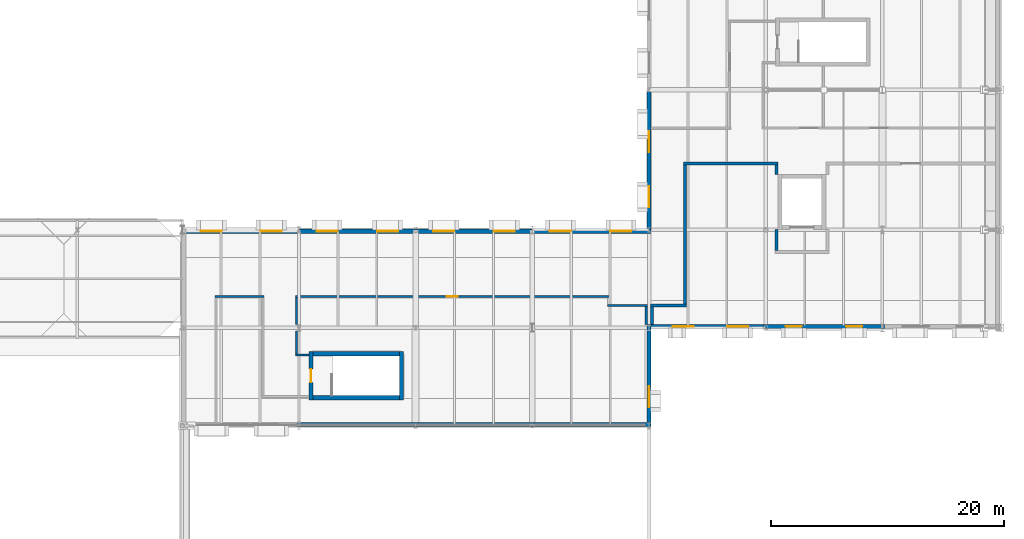
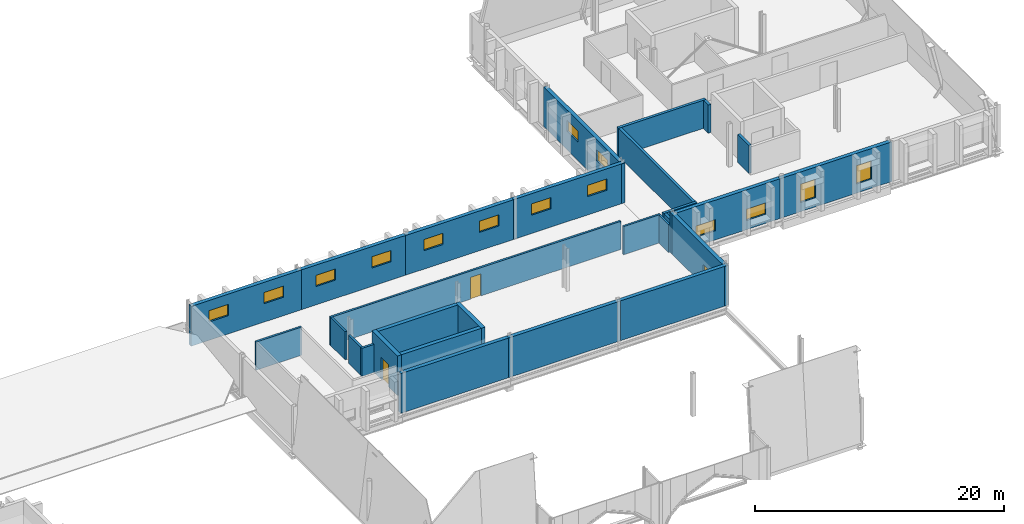
# One storey, part 68 of 90: 28 walls, 15 windows, 2 doors, 17 openings.
"""IFC4 building model written with IfcOpenShell, lengths in metres."""

from ifc_helpers import new_model, si_unit, direction, frame, frame_2d, origin, place, context, subcontext, project, spatial, rectangle, extrude, material, layer, layer_set, type_object, element, fill, save


model = new_model("IFC4")

# Units and contexts
model_context = context("Model", 3, precision=1e-05, world=origin(), true_north=direction((0.0, 1.0)))
body_context = subcontext(model_context, "Body", "Model", "MODEL_VIEW")
ifc_project = project(units=[si_unit("LENGTHUNIT", "METRE"), si_unit("AREAUNIT", "SQUARE_METRE"), si_unit("VOLUMEUNIT", "CUBIC_METRE"), si_unit("PLANEANGLEUNIT", "RADIAN"), si_unit("MASSUNIT", "GRAM", prefix="KILO")], contexts=[model_context])

# Site, building, storey
site_placement = place(None, origin())
site = spatial("IfcSite", under=ifc_project, at=site_placement, CompositionType="ELEMENT")
building_placement = place(site_placement, origin())
building = spatial("IfcBuilding", under=site, at=building_placement, Name="Zereglee Splitstone Museum", CompositionType="ELEMENT")
storey_placement = place(building_placement, frame((0.0, 0.0, 4.800048828125)))
storey = spatial("IfcBuildingStorey", under=building, at=storey_placement, Name="L01", CompositionType="ELEMENT", Elevation=4.800048828125)

# Wall, opening, door
ifc_material_1 = material(Name="Concrete C45/55", Category="concrete")
ifc_layer_1 = layer(ifc_material_1, 0.360107421875)
ifc_layer_set_1 = layer_set([ifc_layer_1], Name="Concrete C45/55")
wall_type_1 = type_object("IfcWallType", Name="CSW-02", PredefinedType="SHEAR", material=ifc_layer_set_1)
wall_1_placement = place(storey_placement, frame((267.02001953125, 23.840087890625, 0.0), z_axis=(0.0, 0.0, 1.0), x_axis=(0.0, 1.0, 0.0)))
wall_1 = element("IfcWall", 1, at=wall_1_placement, inside=storey, type_object=wall_type_1, Name="Stair Core Shear Wall ST-05 L01 West", PredefinedType="SHEAR", context=body_context, shape_type="SweptSolid", body=[
    extrude(rectangle(XDim=4.119873046875, YDim=0.360107421875, at=frame_2d((2.06005859375, 0.0))), origin(), (0.0, 0.0, 1.0), 3.8798828125),
])
opening_1_placement = place(wall_1_placement, frame((1.485107421875, 0.0, 0.0)))
opening_1 = element("IfcOpeningElement", 2, at=opening_1_placement, cuts=wall_1, Name="Opening ID-03", PredefinedType="OPENING", context=body_context, shape_type="SweptSolid", body=[
    extrude(rectangle(XDim=1.14990234375, YDim=2.14990234375, at=frame_2d((0.574951171875, 1.074951171875))), frame((0.0, 0.19482421875, 0.0), z_axis=(0.0, -1.0, 0.0), x_axis=(1.0, 0.0, 0.0)), (0.0, 0.0, 1.0), 0.389892578125),
])
ifc_material_2 = material(Name="Fire-rated steel and Siberian larch leaf", Category="steel")
door_type_1 = type_object("IfcDoorType", Name="ID-03", OperationType="NOTDEFINED", PredefinedType="DOOR", material=ifc_material_2)
door_1_placement = place(opening_1_placement, origin())
door_1 = element("IfcDoor", 3, at=door_1_placement, inside=storey, type_object=door_type_1, Name="Protected Stair Fire Door ST-05 L01", OperationType="SINGLE_SWING_LEFT", OverallHeight=2.14990234375, OverallWidth=1.14990234375, PredefinedType="DOOR", context=body_context, shape_type="SweptSolid", body=[
    extrude(rectangle(XDim=1.14990234375, YDim=2.14990234375, at=frame_2d((0.574951171875, 1.074951171875))), frame((0.0, 0.02490234375, 0.0), z_axis=(0.0, -1.0, 0.0), x_axis=(1.0, 0.0, 0.0)), (0.0, 0.0, 1.0), 0.050048828125),
])
fill(opening_1, door_1)

# Walls
wall_2_placement = place(storey_placement, frame((274.780029296875, 23.840087890625, 0.0), z_axis=(0.0, 0.0, 1.0), x_axis=(0.0, 1.0, 0.0)))
element("IfcWall", 4, at=wall_2_placement, inside=storey, type_object=wall_type_1, Name="Stair Core Shear Wall ST-05 L01 East", PredefinedType="SHEAR", context=body_context, shape_type="SweptSolid", body=[
    extrude(rectangle(XDim=4.119873046875, YDim=0.360107421875, at=frame_2d((2.06005859375, 0.0))), origin(), (0.0, 0.0, 1.0), 3.8798828125),
])
for number, where, z_axis, x_axis, name in (
    (5, (267.199951171875, 27.780029296875, 0.0), (0.0, 0.0, 1.0), (1.0, 0.0, 0.0), "Stair Core Shear Wall ST-05 L01 North"),
    (6, (267.199951171875, 24.02001953125, 0.0), (0.0, 0.0, 1.0), (1.0, 0.0, 0.0), "Stair Core Shear Wall ST-05 L01 South"),
):
    element("IfcWall", number, at=place(storey_placement, frame(where, z_axis=z_axis, x_axis=x_axis)), inside=storey, type_object=wall_type_1, Name=name, PredefinedType="SHEAR", context=body_context, shape_type="SweptSolid", body=[
        extrude(rectangle(XDim=7.400146484375, YDim=0.360107421875, at=frame_2d((3.7001953125, 0.0))), origin(), (0.0, 0.0, 1.0), 3.8798828125),
    ])

# Wall, openings, windows
ifc_material_3 = material(Name="Precast concrete C40/50", Category="concrete")
ifc_layer_2 = layer(ifc_material_3, 0.35009765625)
ifc_layer_set_2 = layer_set([ifc_layer_2], Name="Precast concrete C40/50")
wall_type_2 = type_object("IfcWallType", Name="EW-01", PredefinedType="STANDARD", material=ifc_layer_set_2)
wall_3_placement = place(storey_placement, frame((296.179931640625, 38.280029296875, 0.0), z_axis=(0.0, 0.0, 1.0), x_axis=(-1.0, 0.0, 0.0)))
wall_3 = element("IfcWall", 7, at=wall_3_placement, inside=storey, type_object=wall_type_2, Name="Exterior Backup Wall RC4-EW-L01-0086", PredefinedType="STANDARD", context=body_context, shape_type="SweptSolid", body=[
    extrude(rectangle(XDim=10.35986328125, YDim=0.35009765625, at=frame_2d((5.179931640625, 0.0))), origin(), (0.0, 0.0, 1.0), 3.89990234375),
])
opening_2_placement = place(wall_3_placement, frame((1.68994140625, 0.0, 1.800048828125)))
opening_2 = element("IfcOpeningElement", 8, at=opening_2_placement, cuts=wall_3, Name="Opening EW-W12", PredefinedType="OPENING", context=body_context, shape_type="SweptSolid", body=[
    extrude(rectangle(XDim=1.800048828125, YDim=1.10009765625, at=frame_2d((0.89990234375, 0.550048828125))), frame((0.0, 0.18994140625, 0.0), z_axis=(0.0, -1.0, 0.0), x_axis=(1.0, 0.0, 0.0)), (0.0, 0.0, 1.0), 0.3798828125),
])
opening_3_placement = place(wall_3_placement, frame((6.8701171875, 0.0, 1.800048828125)))
opening_3 = element("IfcOpeningElement", 9, at=opening_3_placement, cuts=wall_3, Name="Opening EW-W12", PredefinedType="OPENING", context=body_context, shape_type="SweptSolid", body=[
    extrude(rectangle(XDim=1.800048828125, YDim=1.10009765625, at=frame_2d((0.89990234375, 0.550048828125))), frame((0.0, 0.18994140625, 0.0), z_axis=(0.0, -1.0, 0.0), x_axis=(1.0, 0.0, 0.0)), (0.0, 0.0, 1.0), 0.3798828125),
])
ifc_material_4 = material(Name="Thermally broken aluminium frame with triple low-e glazing", Category="aluminium")
window_type_1 = type_object("IfcWindowType", Name="EW-W12", PartitioningType="DOUBLE_PANEL_HORIZONTAL", PredefinedType="WINDOW", material=ifc_material_4)
window_1_placement = place(opening_2_placement, origin())
window_1 = element("IfcWindow", 10, at=window_1_placement, inside=storey, type_object=window_type_1, Name="Mughal Deep-Reveal Gallery Window L01-0042", OverallHeight=1.10009765625, OverallWidth=1.800048828125, PartitioningType="SINGLE_PANEL", PredefinedType="WINDOW", context=body_context, shape_type="SweptSolid", body=[
    extrude(rectangle(XDim=1.800048828125, YDim=1.10009765625, at=frame_2d((0.89990234375, 0.550048828125))), frame((0.0, 0.030029296875, 0.0), z_axis=(0.0, -1.0, 0.0), x_axis=(1.0, 0.0, 0.0)), (0.0, 0.0, 1.0), 0.06005859375),
])
fill(opening_2, window_1)
window_2_placement = place(opening_3_placement, origin())
window_2 = element("IfcWindow", 11, at=window_2_placement, inside=storey, type_object=window_type_1, Name="Mughal Deep-Reveal Gallery Window L01-0043", OverallHeight=1.10009765625, OverallWidth=1.800048828125, PartitioningType="SINGLE_PANEL", PredefinedType="WINDOW", context=body_context, shape_type="SweptSolid", body=[
    extrude(rectangle(XDim=1.800048828125, YDim=1.10009765625, at=frame_2d((0.89990234375, 0.550048828125))), frame((0.0, 0.030029296875, 0.0), z_axis=(0.0, -1.0, 0.0), x_axis=(1.0, 0.0, 0.0)), (0.0, 0.0, 1.0), 0.06005859375),
])
fill(opening_3, window_2)

wall_4_placement = place(storey_placement, frame((286.179931640625, 38.280029296875, 0.0), z_axis=(0.0, 0.0, 1.0), x_axis=(-1.0, 0.0, 0.0)))
wall_4 = element("IfcWall", 12, at=wall_4_placement, inside=storey, type_object=wall_type_2, Name="Exterior Backup Wall RC4-EW-L01-0087", PredefinedType="STANDARD", context=body_context, shape_type="SweptSolid", body=[
    extrude(rectangle(XDim=10.35986328125, YDim=0.35009765625, at=frame_2d((5.179931640625, 0.0))), origin(), (0.0, 0.0, 1.0), 3.89990234375),
])
opening_4_placement = place(wall_4_placement, frame((1.68994140625, 0.0, 1.800048828125)))
opening_4 = element("IfcOpeningElement", 13, at=opening_4_placement, cuts=wall_4, Name="Opening EW-W12", PredefinedType="OPENING", context=body_context, shape_type="SweptSolid", body=[
    extrude(rectangle(XDim=1.800048828125, YDim=1.10009765625, at=frame_2d((0.89990234375, 0.550048828125))), frame((0.0, 0.18994140625, 0.0), z_axis=(0.0, -1.0, 0.0), x_axis=(1.0, 0.0, 0.0)), (0.0, 0.0, 1.0), 0.3798828125),
])
opening_5_placement = place(wall_4_placement, frame((6.8701171875, 0.0, 1.800048828125)))
opening_5 = element("IfcOpeningElement", 14, at=opening_5_placement, cuts=wall_4, Name="Opening EW-W12", PredefinedType="OPENING", context=body_context, shape_type="SweptSolid", body=[
    extrude(rectangle(XDim=1.800048828125, YDim=1.10009765625, at=frame_2d((0.89990234375, 0.550048828125))), frame((0.0, 0.18994140625, 0.0), z_axis=(0.0, -1.0, 0.0), x_axis=(1.0, 0.0, 0.0)), (0.0, 0.0, 1.0), 0.3798828125),
])
window_3_placement = place(opening_4_placement, origin())
window_3 = element("IfcWindow", 15, at=window_3_placement, inside=storey, type_object=window_type_1, Name="Mughal Deep-Reveal Gallery Window L01-0044", OverallHeight=1.10009765625, OverallWidth=1.800048828125, PartitioningType="SINGLE_PANEL", PredefinedType="WINDOW", context=body_context, shape_type="SweptSolid", body=[
    extrude(rectangle(XDim=1.800048828125, YDim=1.10009765625, at=frame_2d((0.89990234375, 0.550048828125))), frame((0.0, 0.030029296875, 0.0), z_axis=(0.0, -1.0, 0.0), x_axis=(1.0, 0.0, 0.0)), (0.0, 0.0, 1.0), 0.06005859375),
])
fill(opening_4, window_3)
window_4_placement = place(opening_5_placement, origin())
window_4 = element("IfcWindow", 16, at=window_4_placement, inside=storey, type_object=window_type_1, Name="Mughal Deep-Reveal Gallery Window L01-0045", OverallHeight=1.10009765625, OverallWidth=1.800048828125, PartitioningType="SINGLE_PANEL", PredefinedType="WINDOW", context=body_context, shape_type="SweptSolid", body=[
    extrude(rectangle(XDim=1.800048828125, YDim=1.10009765625, at=frame_2d((0.89990234375, 0.550048828125))), frame((0.0, 0.030029296875, 0.0), z_axis=(0.0, -1.0, 0.0), x_axis=(1.0, 0.0, 0.0)), (0.0, 0.0, 1.0), 0.06005859375),
])
fill(opening_5, window_4)

wall_5_placement = place(storey_placement, frame((276.179931640625, 38.280029296875, 0.0), z_axis=(0.0, 0.0, 1.0), x_axis=(-1.0, 0.0, 0.0)))
wall_5 = element("IfcWall", 17, at=wall_5_placement, inside=storey, type_object=wall_type_2, Name="Exterior Backup Wall RC4-EW-L01-0088", PredefinedType="STANDARD", context=body_context, shape_type="SweptSolid", body=[
    extrude(rectangle(XDim=10.35986328125, YDim=0.35009765625, at=frame_2d((5.179931640625, 0.0))), origin(), (0.0, 0.0, 1.0), 3.89990234375),
])
opening_6_placement = place(wall_5_placement, frame((1.68994140625, 0.0, 1.800048828125)))
opening_6 = element("IfcOpeningElement", 18, at=opening_6_placement, cuts=wall_5, Name="Opening EW-W12", PredefinedType="OPENING", context=body_context, shape_type="SweptSolid", body=[
    extrude(rectangle(XDim=1.800048828125, YDim=1.10009765625, at=frame_2d((0.89990234375, 0.550048828125))), frame((0.0, 0.18994140625, 0.0), z_axis=(0.0, -1.0, 0.0), x_axis=(1.0, 0.0, 0.0)), (0.0, 0.0, 1.0), 0.3798828125),
])
opening_7_placement = place(wall_5_placement, frame((6.8701171875, 0.0, 1.800048828125)))
opening_7 = element("IfcOpeningElement", 19, at=opening_7_placement, cuts=wall_5, Name="Opening EW-W12", PredefinedType="OPENING", context=body_context, shape_type="SweptSolid", body=[
    extrude(rectangle(XDim=1.800048828125, YDim=1.10009765625, at=frame_2d((0.89990234375, 0.550048828125))), frame((0.0, 0.18994140625, 0.0), z_axis=(0.0, -1.0, 0.0), x_axis=(1.0, 0.0, 0.0)), (0.0, 0.0, 1.0), 0.3798828125),
])
window_5_placement = place(opening_6_placement, origin())
window_5 = element("IfcWindow", 20, at=window_5_placement, inside=storey, type_object=window_type_1, Name="Mughal Deep-Reveal Gallery Window L01-0046", OverallHeight=1.10009765625, OverallWidth=1.800048828125, PartitioningType="SINGLE_PANEL", PredefinedType="WINDOW", context=body_context, shape_type="SweptSolid", body=[
    extrude(rectangle(XDim=1.800048828125, YDim=1.10009765625, at=frame_2d((0.89990234375, 0.550048828125))), frame((0.0, 0.030029296875, 0.0), z_axis=(0.0, -1.0, 0.0), x_axis=(1.0, 0.0, 0.0)), (0.0, 0.0, 1.0), 0.06005859375),
])
fill(opening_6, window_5)
window_6_placement = place(opening_7_placement, origin())
window_6 = element("IfcWindow", 21, at=window_6_placement, inside=storey, type_object=window_type_1, Name="Mughal Deep-Reveal Gallery Window L01-0047", OverallHeight=1.10009765625, OverallWidth=1.800048828125, PartitioningType="SINGLE_PANEL", PredefinedType="WINDOW", context=body_context, shape_type="SweptSolid", body=[
    extrude(rectangle(XDim=1.800048828125, YDim=1.10009765625, at=frame_2d((0.89990234375, 0.550048828125))), frame((0.0, 0.030029296875, 0.0), z_axis=(0.0, -1.0, 0.0), x_axis=(1.0, 0.0, 0.0)), (0.0, 0.0, 1.0), 0.06005859375),
])
fill(opening_7, window_6)

wall_6_placement = place(storey_placement, frame((266.179931640625, 38.280029296875, 0.0), z_axis=(0.0, 0.0, 1.0), x_axis=(-1.0, 0.0, 0.0)))
wall_6 = element("IfcWall", 22, at=wall_6_placement, inside=storey, type_object=wall_type_2, Name="Exterior Backup Wall RC4-EW-L01-0089", PredefinedType="STANDARD", context=body_context, shape_type="SweptSolid", body=[
    extrude(rectangle(XDim=10.239990234375, YDim=0.35009765625, at=frame_2d((5.1201171875, 0.0))), origin(), (0.0, 0.0, 1.0), 3.89990234375),
])
opening_8_placement = place(wall_6_placement, frame((1.659912109375, 0.0, 1.800048828125)))
opening_8 = element("IfcOpeningElement", 23, at=opening_8_placement, cuts=wall_6, Name="Opening EW-W12", PredefinedType="OPENING", context=body_context, shape_type="SweptSolid", body=[
    extrude(rectangle(XDim=1.800048828125, YDim=1.10009765625, at=frame_2d((0.89990234375, 0.550048828125))), frame((0.0, 0.18994140625, 0.0), z_axis=(0.0, -1.0, 0.0), x_axis=(1.0, 0.0, 0.0)), (0.0, 0.0, 1.0), 0.3798828125),
])
opening_9_placement = place(wall_6_placement, frame((6.780029296875, 0.0, 1.800048828125)))
opening_9 = element("IfcOpeningElement", 24, at=opening_9_placement, cuts=wall_6, Name="Opening EW-W12", PredefinedType="OPENING", context=body_context, shape_type="SweptSolid", body=[
    extrude(rectangle(XDim=1.800048828125, YDim=1.10009765625, at=frame_2d((0.89990234375, 0.550048828125))), frame((0.0, 0.18994140625, 0.0), z_axis=(0.0, -1.0, 0.0), x_axis=(1.0, 0.0, 0.0)), (0.0, 0.0, 1.0), 0.3798828125),
])
window_7_placement = place(opening_8_placement, origin())
window_7 = element("IfcWindow", 25, at=window_7_placement, inside=storey, type_object=window_type_1, Name="Mughal Deep-Reveal Gallery Window L01-0048", OverallHeight=1.10009765625, OverallWidth=1.800048828125, PartitioningType="SINGLE_PANEL", PredefinedType="WINDOW", context=body_context, shape_type="SweptSolid", body=[
    extrude(rectangle(XDim=1.800048828125, YDim=1.10009765625, at=frame_2d((0.89990234375, 0.550048828125))), frame((0.0, 0.030029296875, 0.0), z_axis=(0.0, -1.0, 0.0), x_axis=(1.0, 0.0, 0.0)), (0.0, 0.0, 1.0), 0.06005859375),
])
fill(opening_8, window_7)
window_8_placement = place(opening_9_placement, origin())
window_8 = element("IfcWindow", 26, at=window_8_placement, inside=storey, type_object=window_type_1, Name="Mughal Deep-Reveal Gallery Window L01-0049", OverallHeight=1.10009765625, OverallWidth=1.800048828125, PartitioningType="SINGLE_PANEL", PredefinedType="WINDOW", context=body_context, shape_type="SweptSolid", body=[
    extrude(rectangle(XDim=1.800048828125, YDim=1.10009765625, at=frame_2d((0.89990234375, 0.550048828125))), frame((0.0, 0.030029296875, 0.0), z_axis=(0.0, -1.0, 0.0), x_axis=(1.0, 0.0, 0.0)), (0.0, 0.0, 1.0), 0.06005859375),
])
fill(opening_9, window_8)

# Walls
for number, where, z_axis, x_axis, name in (
    (27, (265.820068359375, 21.719970703125, 0.0), (0.0, 0.0, 1.0), (1.0, 0.0, 0.0), "Exterior Backup Wall RC4-EW-L01-0093"),
    (28, (275.820068359375, 21.719970703125, 0.0), (0.0, 0.0, 1.0), (1.0, 0.0, 0.0), "Exterior Backup Wall RC4-EW-L01-0094"),
    (29, (285.820068359375, 21.719970703125, 0.0), (0.0, 0.0, 1.0), (1.0, 0.0, 0.0), "Exterior Backup Wall RC4-EW-L01-0095"),
):
    element("IfcWall", number, at=place(storey_placement, frame(where, z_axis=z_axis, x_axis=x_axis)), inside=storey, type_object=wall_type_2, Name=name, PredefinedType="STANDARD", context=body_context, shape_type="SweptSolid", body=[
        extrude(rectangle(XDim=10.35986328125, YDim=0.35009765625, at=frame_2d((5.179931640625, 0.0))), origin(), (0.0, 0.0, 1.0), 3.89990234375),
    ])

# Wall, opening, window
wall_7_placement = place(storey_placement, frame((296.0, 21.5400390625, 0.0), z_axis=(0.0, 0.0, 1.0), x_axis=(0.0, 1.0, 0.0)))
wall_7 = element("IfcWall", 30, at=wall_7_placement, inside=storey, type_object=wall_type_2, Name="Exterior Backup Wall RC4-EW-L01-0096", PredefinedType="STANDARD", context=body_context, shape_type="SweptSolid", body=[
    extrude(rectangle(XDim=8.760009765625, YDim=0.35009765625, at=frame_2d((4.3798828125, 0.0))), origin(), (0.0, 0.0, 1.0), 3.89990234375),
])
opening_10_placement = place(wall_7_placement, frame((1.6650390625, 0.0, 0.89990234375)))
opening_10 = element("IfcOpeningElement", 31, at=opening_10_placement, cuts=wall_7, Name="Opening EW-W12", PredefinedType="OPENING", context=body_context, shape_type="SweptSolid", body=[
    extrude(rectangle(XDim=1.800048828125, YDim=1.10009765625, at=frame_2d((0.89990234375, 0.550048828125))), frame((0.0, 0.18994140625, 0.0), z_axis=(0.0, -1.0, 0.0), x_axis=(1.0, 0.0, 0.0)), (0.0, 0.0, 1.0), 0.3798828125),
])
window_9_placement = place(opening_10_placement, origin())
window_9 = element("IfcWindow", 32, at=window_9_placement, inside=storey, type_object=window_type_1, Name="Mughal Deep-Reveal Gallery Window L01-0052", OverallHeight=1.10009765625, OverallWidth=1.800048828125, PartitioningType="SINGLE_PANEL", PredefinedType="WINDOW", context=body_context, shape_type="SweptSolid", body=[
    extrude(rectangle(XDim=1.800048828125, YDim=1.10009765625, at=frame_2d((0.89990234375, 0.550048828125))), frame((0.0, 0.030029296875, 0.0), z_axis=(0.0, -1.0, 0.0), x_axis=(1.0, 0.0, 0.0)), (0.0, 0.0, 1.0), 0.06005859375),
])
fill(opening_10, window_9)

# Wall, openings, windows
wall_8_placement = place(storey_placement, frame((295.820068359375, 30.1201171875, 0.0), z_axis=(0.0, 0.0, 1.0), x_axis=(1.0, 0.0, 0.0)))
wall_8 = element("IfcWall", 33, at=wall_8_placement, inside=storey, type_object=wall_type_2, Name="Exterior Backup Wall RC4-EW-L01-0097", PredefinedType="STANDARD", context=body_context, shape_type="SweptSolid", body=[
    extrude(rectangle(XDim=10.35986328125, YDim=0.35009765625, at=frame_2d((5.179931640625, 0.0))), origin(), (0.0, 0.0, 1.0), 3.89990234375),
])
opening_11_placement = place(wall_8_placement, frame((2.215087890625, 0.0, 0.89990234375)))
opening_11 = element("IfcOpeningElement", 34, at=opening_11_placement, cuts=wall_8, Name="Opening EW-W12", PredefinedType="OPENING", context=body_context, shape_type="SweptSolid", body=[
    extrude(rectangle(XDim=1.800048828125, YDim=1.10009765625, at=frame_2d((0.89990234375, 0.550048828125))), frame((0.0, 0.18994140625, 0.0), z_axis=(0.0, -1.0, 0.0), x_axis=(1.0, 0.0, 0.0)), (0.0, 0.0, 1.0), 0.3798828125),
])
opening_12_placement = place(wall_8_placement, frame((6.8701171875, 0.0, 0.89990234375)))
opening_12 = element("IfcOpeningElement", 35, at=opening_12_placement, cuts=wall_8, Name="Opening EW-W12", PredefinedType="OPENING", context=body_context, shape_type="SweptSolid", body=[
    extrude(rectangle(XDim=1.800048828125, YDim=1.10009765625, at=frame_2d((0.89990234375, 0.550048828125))), frame((0.0, 0.18994140625, 0.0), z_axis=(0.0, -1.0, 0.0), x_axis=(1.0, 0.0, 0.0)), (0.0, 0.0, 1.0), 0.3798828125),
])
window_10_placement = place(opening_11_placement, origin())
window_10 = element("IfcWindow", 36, at=window_10_placement, inside=storey, type_object=window_type_1, Name="Mughal Deep-Reveal Gallery Window L01-0053", OverallHeight=1.10009765625, OverallWidth=1.800048828125, PartitioningType="SINGLE_PANEL", PredefinedType="WINDOW", context=body_context, shape_type="SweptSolid", body=[
    extrude(rectangle(XDim=1.800048828125, YDim=1.10009765625, at=frame_2d((0.89990234375, 0.550048828125))), frame((0.0, 0.030029296875, 0.0), z_axis=(0.0, -1.0, 0.0), x_axis=(1.0, 0.0, 0.0)), (0.0, 0.0, 1.0), 0.06005859375),
])
fill(opening_11, window_10)
window_11_placement = place(opening_12_placement, origin())
window_11 = element("IfcWindow", 37, at=window_11_placement, inside=storey, type_object=window_type_1, Name="Mughal Deep-Reveal Gallery Window L01-0054", OverallHeight=1.10009765625, OverallWidth=1.800048828125, PartitioningType="SINGLE_PANEL", PredefinedType="WINDOW", context=body_context, shape_type="SweptSolid", body=[
    extrude(rectangle(XDim=1.800048828125, YDim=1.10009765625, at=frame_2d((0.89990234375, 0.550048828125))), frame((0.0, 0.030029296875, 0.0), z_axis=(0.0, -1.0, 0.0), x_axis=(1.0, 0.0, 0.0)), (0.0, 0.0, 1.0), 0.06005859375),
])
fill(opening_12, window_11)

wall_9_placement = place(storey_placement, frame((305.820068359375, 30.1201171875, 0.0), z_axis=(0.0, 0.0, 1.0), x_axis=(1.0, 0.0, 0.0)))
wall_9 = element("IfcWall", 38, at=wall_9_placement, inside=storey, type_object=wall_type_2, Name="Exterior Backup Wall RC4-EW-L01-0098", PredefinedType="STANDARD", context=body_context, shape_type="SweptSolid", body=[
    extrude(rectangle(XDim=10.35986328125, YDim=0.35009765625, at=frame_2d((5.179931640625, 0.0))), origin(), (0.0, 0.0, 1.0), 3.89990234375),
])
opening_13_placement = place(wall_9_placement, frame((1.889892578125, 0.0, 0.89990234375)))
opening_13 = element("IfcOpeningElement", 39, at=opening_13_placement, cuts=wall_9, Name="Opening EW-W18", PredefinedType="OPENING", context=body_context, shape_type="SweptSolid", body=[
    extrude(rectangle(XDim=1.39990234375, YDim=1.800048828125, at=frame_2d((0.699951171875, 0.89990234375))), frame((0.0, 0.18994140625, 0.0), z_axis=(0.0, -1.0, 0.0), x_axis=(1.0, 0.0, 0.0)), (0.0, 0.0, 1.0), 0.3798828125),
])
opening_14_placement = place(wall_9_placement, frame((7.070068359375, 0.0, 0.89990234375)))
opening_14 = element("IfcOpeningElement", 40, at=opening_14_placement, cuts=wall_9, Name="Opening EW-W18", PredefinedType="OPENING", context=body_context, shape_type="SweptSolid", body=[
    extrude(rectangle(XDim=1.39990234375, YDim=1.800048828125, at=frame_2d((0.699951171875, 0.89990234375))), frame((0.0, 0.18994140625, 0.0), z_axis=(0.0, -1.0, 0.0), x_axis=(1.0, 0.0, 0.0)), (0.0, 0.0, 1.0), 0.3798828125),
])
window_type_2 = type_object("IfcWindowType", Name="EW-W18", PartitioningType="DOUBLE_PANEL_VERTICAL", PredefinedType="WINDOW", material=ifc_material_4)
window_12_placement = place(opening_13_placement, origin())
window_12 = element("IfcWindow", 41, at=window_12_placement, inside=storey, type_object=window_type_2, Name="Mughal Deep-Reveal Gallery Window L01-0055", OverallHeight=1.800048828125, OverallWidth=1.39990234375, PartitioningType="SINGLE_PANEL", PredefinedType="WINDOW", context=body_context, shape_type="SweptSolid", body=[
    extrude(rectangle(XDim=1.39990234375, YDim=1.800048828125, at=frame_2d((0.699951171875, 0.89990234375))), frame((0.0, 0.030029296875, 0.0), z_axis=(0.0, -1.0, 0.0), x_axis=(1.0, 0.0, 0.0)), (0.0, 0.0, 1.0), 0.06005859375),
])
fill(opening_13, window_12)
window_13_placement = place(opening_14_placement, origin())
window_13 = element("IfcWindow", 42, at=window_13_placement, inside=storey, type_object=window_type_2, Name="Mughal Deep-Reveal Gallery Window L01-0056", OverallHeight=1.800048828125, OverallWidth=1.39990234375, PartitioningType="SINGLE_PANEL", PredefinedType="WINDOW", context=body_context, shape_type="SweptSolid", body=[
    extrude(rectangle(XDim=1.39990234375, YDim=1.800048828125, at=frame_2d((0.699951171875, 0.89990234375))), frame((0.0, 0.030029296875, 0.0), z_axis=(0.0, -1.0, 0.0), x_axis=(1.0, 0.0, 0.0)), (0.0, 0.0, 1.0), 0.06005859375),
])
fill(opening_14, window_13)

wall_10_placement = place(storey_placement, frame((296.0, 50.580078125, 0.0), z_axis=(0.0, 0.0, 1.0), x_axis=(0.0, -1.0, 0.0)))
wall_10 = element("IfcWall", 43, at=wall_10_placement, inside=storey, type_object=wall_type_2, Name="Exterior Backup Wall RC4-EW-L01-0109", PredefinedType="STANDARD", context=body_context, shape_type="SweptSolid", body=[
    extrude(rectangle(XDim=12.47998046875, YDim=0.35009765625, at=frame_2d((6.239990234375, 0.0))), origin(), (0.0, 0.0, 1.0), 3.89990234375),
])
opening_15_placement = place(wall_10_placement, frame((3.719970703125, 0.0, 1.800048828125)))
opening_15 = element("IfcOpeningElement", 44, at=opening_15_placement, cuts=wall_10, Name="Opening EW-W12", PredefinedType="OPENING", context=body_context, shape_type="SweptSolid", body=[
    extrude(rectangle(XDim=1.800048828125, YDim=1.10009765625, at=frame_2d((0.89990234375, 0.550048828125))), frame((0.0, 0.18994140625, 0.0), z_axis=(0.0, -1.0, 0.0), x_axis=(1.0, 0.0, 0.0)), (0.0, 0.0, 1.0), 0.3798828125),
])
opening_16_placement = place(wall_10_placement, frame((8.4599609375, 0.0, 1.800048828125)))
opening_16 = element("IfcOpeningElement", 45, at=opening_16_placement, cuts=wall_10, Name="Opening EW-W12", PredefinedType="OPENING", context=body_context, shape_type="SweptSolid", body=[
    extrude(rectangle(XDim=1.800048828125, YDim=1.10009765625, at=frame_2d((0.89990234375, 0.550048828125))), frame((0.0, 0.18994140625, 0.0), z_axis=(0.0, -1.0, 0.0), x_axis=(1.0, 0.0, 0.0)), (0.0, 0.0, 1.0), 0.3798828125),
])
window_14_placement = place(opening_15_placement, origin())
window_14 = element("IfcWindow", 46, at=window_14_placement, inside=storey, type_object=window_type_1, Name="Mughal Deep-Reveal Gallery Window L01-0061", OverallHeight=1.10009765625, OverallWidth=1.800048828125, PartitioningType="SINGLE_PANEL", PredefinedType="WINDOW", context=body_context, shape_type="SweptSolid", body=[
    extrude(rectangle(XDim=1.800048828125, YDim=1.10009765625, at=frame_2d((0.89990234375, 0.550048828125))), frame((0.0, 0.030029296875, 0.0), z_axis=(0.0, -1.0, 0.0), x_axis=(1.0, 0.0, 0.0)), (0.0, 0.0, 1.0), 0.06005859375),
])
fill(opening_15, window_14)
window_15_placement = place(opening_16_placement, origin())
window_15 = element("IfcWindow", 47, at=window_15_placement, inside=storey, type_object=window_type_1, Name="Mughal Deep-Reveal Gallery Window L01-0062", OverallHeight=1.10009765625, OverallWidth=1.800048828125, PartitioningType="SINGLE_PANEL", PredefinedType="WINDOW", context=body_context, shape_type="SweptSolid", body=[
    extrude(rectangle(XDim=1.800048828125, YDim=1.10009765625, at=frame_2d((0.89990234375, 0.550048828125))), frame((0.0, 0.030029296875, 0.0), z_axis=(0.0, -1.0, 0.0), x_axis=(1.0, 0.0, 0.0)), (0.0, 0.0, 1.0), 0.06005859375),
])
fill(opening_16, window_15)

# Walls
ifc_material_5 = material(Name="Concrete C40/50", Category="concrete")
ifc_layer_3 = layer(ifc_material_5, 0.25)
ifc_layer_set_3 = layer_set([ifc_layer_3], Name="Concrete C40/50")
wall_type_3 = type_object("IfcWallType", Name="IW-03", PredefinedType="PARTITIONING", material=ifc_layer_set_3)
wall_11_placement = place(storey_placement, frame((296.114990234375, 31.919921875, 0.0), z_axis=(0.0, 0.0, 1.0), x_axis=(1.0, 0.0, 0.0)))
element("IfcWall", 48, at=wall_11_placement, inside=storey, type_object=wall_type_3, Name="Interior Partition L01-0371 (Natural History Collection Archive)", PredefinedType="PARTITIONING", context=body_context, shape_type="SweptSolid", body=[
    extrude(rectangle(XDim=3.090087890625, YDim=0.25, at=frame_2d((1.544921875, 0.0))), origin(), (0.0, 0.0, 1.0), 2.760009765625),
])
wall_12_placement = place(storey_placement, frame((298.955078125, 44.080078125, 0.0), z_axis=(0.0, 0.0, 1.0), x_axis=(1.0, 0.0, 0.0)))
element("IfcWall", 49, at=wall_12_placement, inside=storey, type_object=wall_type_3, Name="Interior Partition L01-0383 (Natural History Collection Archive)", PredefinedType="PARTITIONING", context=body_context, shape_type="SweptSolid", body=[
    extrude(rectangle(XDim=8.08984375, YDim=0.25, at=frame_2d((4.044921875, 0.0))), origin(), (0.0, 0.0, 1.0), 2.760009765625),
])
wall_13_placement = place(storey_placement, frame((296.239990234375, 30.294921875, 0.0), z_axis=(0.0, 0.0, 1.0), x_axis=(0.0, 1.0, 0.0)))
element("IfcWall", 50, at=wall_13_placement, inside=storey, type_object=wall_type_3, Name="Interior Partition L01-0443 (Natural History Collection Archive)", PredefinedType="PARTITIONING", context=body_context, shape_type="SweptSolid", body=[
    extrude(rectangle(XDim=1.5, YDim=0.25, at=frame_2d((0.75, 0.0))), origin(), (0.0, 0.0, 1.0), 2.760009765625),
])
wall_14_placement = place(storey_placement, frame((299.080078125, 32.044921875, 0.0), z_axis=(0.0, 0.0, 1.0), x_axis=(0.0, 1.0, 0.0)))
element("IfcWall", 51, at=wall_14_placement, inside=storey, type_object=wall_type_3, Name="Interior Partition L01-0444 (Natural History Collection Archive)", PredefinedType="PARTITIONING", context=body_context, shape_type="SweptSolid", body=[
    extrude(rectangle(XDim=11.91015625, YDim=0.25, at=frame_2d((5.955078125, 0.0))), origin(), (0.0, 0.0, 1.0), 2.760009765625),
])
wall_15_placement = place(storey_placement, frame((306.919921875, 36.64501953125, 0.0), z_axis=(0.0, 0.0, 1.0), x_axis=(0.0, 1.0, 0.0)))
element("IfcWall", 52, at=wall_15_placement, inside=storey, type_object=wall_type_3, Name="Interior Partition L01-0447 (Natural History Collection Archive)", PredefinedType="PARTITIONING", context=body_context, shape_type="SweptSolid", body=[
    extrude(rectangle(XDim=1.794921875, YDim=0.25, at=frame_2d((0.8974609375, 0.0))), origin(), (0.0, 0.0, 1.0), 2.760009765625),
])
wall_16_placement = place(storey_placement, frame((306.919921875, 43.159912109375, 0.0), z_axis=(0.0, 0.0, 1.0), x_axis=(0.0, 1.0, 0.0)))
element("IfcWall", 53, at=wall_16_placement, inside=storey, type_object=wall_type_3, Name="Interior Partition L01-0448 (Natural History Collection Archive)", PredefinedType="PARTITIONING", context=body_context, shape_type="SweptSolid", body=[
    extrude(rectangle(XDim=0.795166015625, YDim=0.25, at=frame_2d((0.3974609375, 0.0))), origin(), (0.0, 0.0, 1.0), 2.760009765625),
])
ifc_material_6 = material(Name="Gypsum board on acoustic steel stud", Category="steel")
ifc_layer_4 = layer(ifc_material_6, 0.18994140625)
ifc_layer_set_4 = layer_set([ifc_layer_4], Name="Gypsum board on acoustic steel stud")
wall_type_4 = type_object("IfcWallType", Name="IW-02", PredefinedType="PARTITIONING", material=ifc_layer_set_4)
wall_17_placement = place(storey_placement, frame((265.68505859375, 27.679931640625, 0.0), z_axis=(0.0, 0.0, 1.0), x_axis=(1.0, 0.0, 0.0)))
element("IfcWall", 54, at=wall_17_placement, inside=storey, type_object=wall_type_4, Name="Interior Partition L01-0364 (Auditorium Upper Foyer)", PredefinedType="PARTITIONING", context=body_context, shape_type="SweptSolid", body=[
    extrude(rectangle(XDim=1.155029296875, YDim=0.18994140625, at=frame_2d((0.57763671875, 0.0))), origin(), (0.0, 0.0, 1.0), 2.760009765625),
])
wall_18_placement = place(storey_placement, frame((292.425048828125, 31.919921875, 0.0), z_axis=(0.0, 0.0, 1.0), x_axis=(1.0, 0.0, 0.0)))
element("IfcWall", 55, at=wall_18_placement, inside=storey, type_object=wall_type_4, Name="Interior Partition L01-0370 (Auditorium Upper Foyer)", PredefinedType="PARTITIONING", context=body_context, shape_type="SweptSolid", body=[
    extrude(rectangle(XDim=3.429931640625, YDim=0.18994140625, at=frame_2d((1.71484375, 0.0))), origin(), (0.0, 0.0, 1.0), 2.760009765625),
])
wall_19_placement = place(storey_placement, frame((258.784912109375, 32.679931640625, 0.0), z_axis=(0.0, 0.0, 1.0), x_axis=(1.0, 0.0, 0.0)))
element("IfcWall", 56, at=wall_19_placement, inside=storey, type_object=wall_type_4, Name="Interior Partition L01-0373 (Auditorium Upper Foyer)", PredefinedType="PARTITIONING", context=body_context, shape_type="SweptSolid", body=[
    extrude(rectangle(XDim=4.22998046875, YDim=0.18994140625, at=frame_2d((2.114990234375, 0.0))), origin(), (0.0, 0.0, 1.0), 2.760009765625),
])

# Wall, opening, door
wall_20_placement = place(storey_placement, frame((265.68505859375, 32.679931640625, 0.0), z_axis=(0.0, 0.0, 1.0), x_axis=(1.0, 0.0, 0.0)))
wall_20 = element("IfcWall", 57, at=wall_20_placement, inside=storey, type_object=wall_type_4, Name="Interior Partition L01-0374 (Auditorium Upper Foyer)", PredefinedType="PARTITIONING", context=body_context, shape_type="SweptSolid", body=[
    extrude(rectangle(XDim=26.929931640625, YDim=0.18994140625, at=frame_2d((13.46484375, 0.0))), origin(), (0.0, 0.0, 1.0), 2.760009765625),
])
opening_17_placement = place(wall_20_placement, frame((12.989990234375, 0.0, 0.0)))
opening_17 = element("IfcOpeningElement", 58, at=opening_17_placement, cuts=wall_20, Name="Opening ID-11", PredefinedType="OPENING", context=body_context, shape_type="SweptSolid", body=[
    extrude(rectangle(XDim=0.949951171875, YDim=2.14990234375, at=frame_2d((0.47509765625, 1.074951171875))), frame((0.0, 0.10986328125, 0.0), z_axis=(0.0, -1.0, 0.0), x_axis=(1.0, 0.0, 0.0)), (0.0, 0.0, 1.0), 0.2197265625),
])
ifc_material_7 = material(Name="Siberian larch acoustic timber leaf in bronze-steel frame", Category="steel")
door_type_2 = type_object("IfcDoorType", Name="ID-11", OperationType="NOTDEFINED", PredefinedType="DOOR", material=ifc_material_7)
door_2_placement = place(opening_17_placement, frame((0.949951171875, 0.0, 0.0), z_axis=(0.0, 0.0, 1.0), x_axis=(-1.0, 0.0, 0.0)))
door_2 = element("IfcDoor", 59, at=door_2_placement, inside=storey, type_object=door_type_2, Name="Interior Door L01-0074 (Auditorium Upper Foyer)", OperationType="SINGLE_SWING_LEFT", OverallHeight=2.14990234375, OverallWidth=0.949951171875, PredefinedType="DOOR", context=body_context, shape_type="SweptSolid", body=[
    extrude(rectangle(XDim=0.949951171875, YDim=2.14990234375, at=frame_2d((0.47509765625, 1.074951171875))), frame((0.0, 0.02490234375, 0.0), z_axis=(0.0, -1.0, 0.0), x_axis=(1.0, 0.0, 0.0)), (0.0, 0.0, 1.0), 0.050048828125),
])
fill(opening_17, door_2)

# Walls
wall_21_placement = place(storey_placement, frame((265.780029296875, 27.77490234375, 0.0), z_axis=(0.0, 0.0, 1.0), x_axis=(0.0, 1.0, 0.0)))
element("IfcWall", 60, at=wall_21_placement, inside=storey, type_object=wall_type_4, Name="Interior Partition L01-0440 (Auditorium Upper Foyer)", PredefinedType="PARTITIONING", context=body_context, shape_type="SweptSolid", body=[
    extrude(rectangle(XDim=1.9501953125, YDim=0.18994140625, at=frame_2d((0.97509765625, 0.0))), origin(), (0.0, 0.0, 1.0), 2.760009765625),
])
wall_22_placement = place(storey_placement, frame((265.780029296875, 30.27490234375, 0.0), z_axis=(0.0, 0.0, 1.0), x_axis=(0.0, 1.0, 0.0)))
element("IfcWall", 61, at=wall_22_placement, inside=storey, type_object=wall_type_4, Name="Interior Partition L01-0441 (Auditorium Upper Foyer)", PredefinedType="PARTITIONING", context=body_context, shape_type="SweptSolid", body=[
    extrude(rectangle(XDim=2.31005859375, YDim=0.18994140625, at=frame_2d((1.155029296875, 0.0))), origin(), (0.0, 0.0, 1.0), 2.760009765625),
])
wall_23_placement = place(storey_placement, frame((295.760009765625, 30.294921875, 0.0), z_axis=(0.0, 0.0, 1.0), x_axis=(0.0, 1.0, 0.0)))
element("IfcWall", 62, at=wall_23_placement, inside=storey, type_object=wall_type_4, Name="Interior Partition L01-0442 (Auditorium Upper Foyer)", PredefinedType="PARTITIONING", context=body_context, shape_type="SweptSolid", body=[
    extrude(rectangle(XDim=1.530029296875, YDim=0.18994140625, at=frame_2d((0.76513671875, 0.0))), origin(), (0.0, 0.0, 1.0), 2.760009765625),
])

save(model, "model.ifc")
